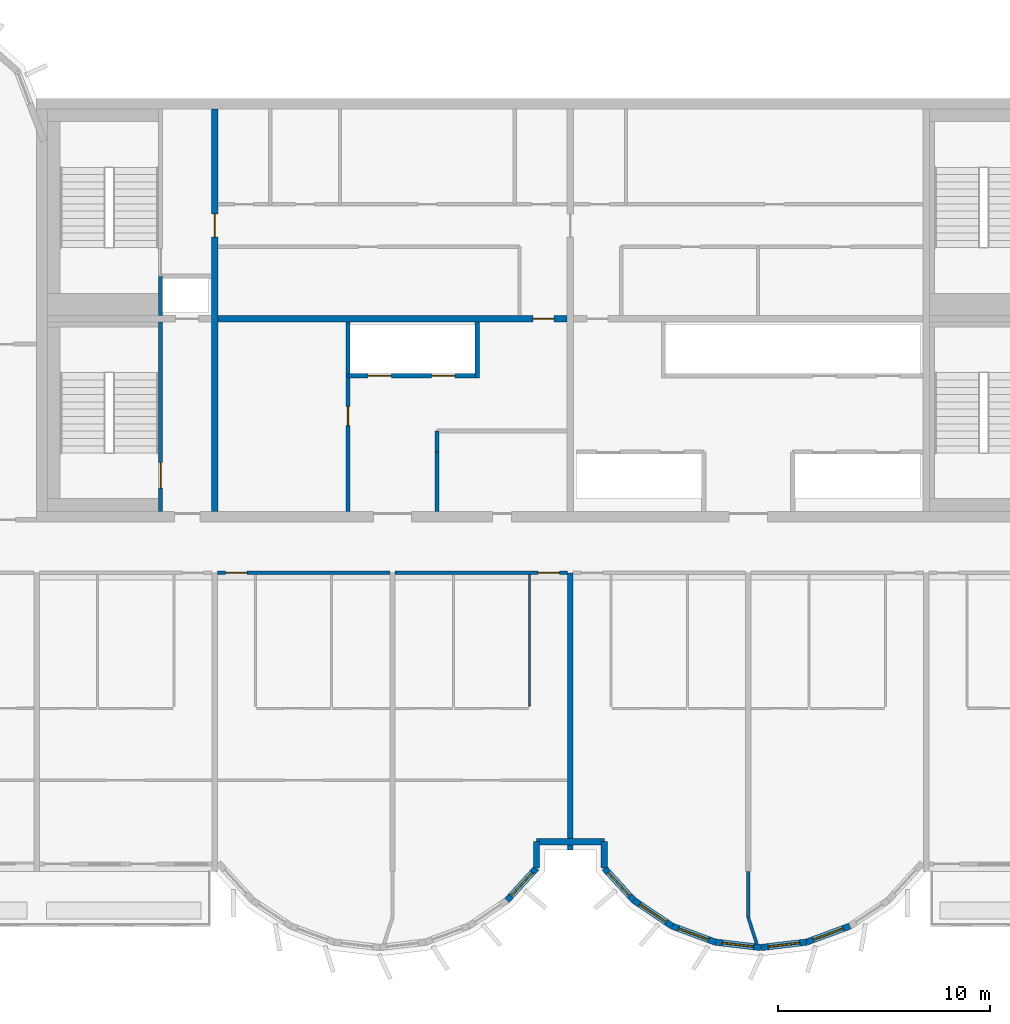
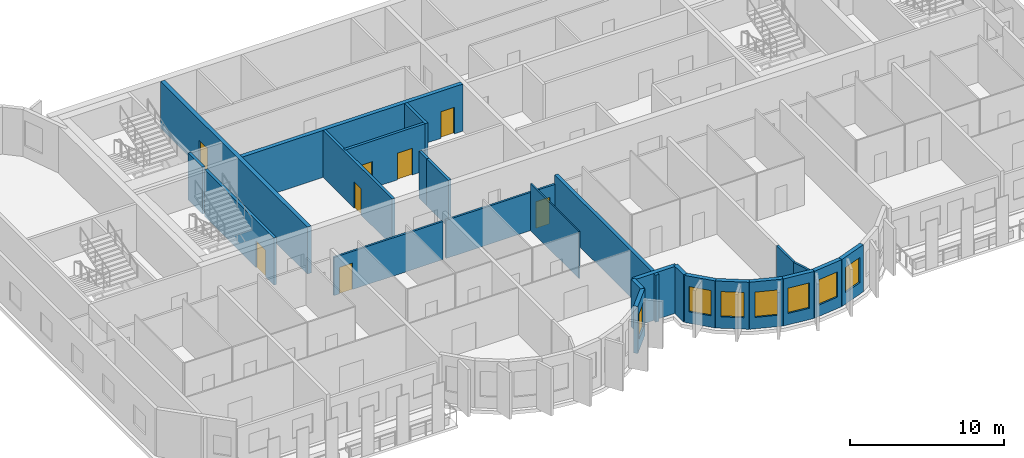
# One storey, part 4 of 12: 25 walls, 8 doors, 7 windows, 15 openings.
"""IFC4 building model written with IfcOpenShell, lengths in metres."""

from ifc_helpers import new_model, si_unit, direction, frame, frame_2d, origin, place, context, subcontext, project, spatial, rectangle, extrude, source, transform, mapped, material, layer, layer_set, type_object, element, fill, save


model = new_model("IFC4")

# Units and contexts
model_context = context("Model", 3, precision=1e-05, world=origin(), true_north=direction((0.0, 1.0)))
body_context = subcontext(model_context, "Body", "Model", "MODEL_VIEW")
ifc_project = project(units=[si_unit("LENGTHUNIT", "METRE"), si_unit("AREAUNIT", "SQUARE_METRE"), si_unit("VOLUMEUNIT", "CUBIC_METRE"), si_unit("PLANEANGLEUNIT", "RADIAN"), si_unit("MASSUNIT", "GRAM", prefix="KILO")], contexts=[model_context])

# Site, building, storey
site_placement = place(None, origin())
site = spatial("IfcSite", under=ifc_project, at=site_placement, CompositionType="ELEMENT")
building_placement = place(site_placement, origin())
building = spatial("IfcBuilding", under=site, at=building_placement, Name="Vanashikhar Sky Hotel", CompositionType="ELEMENT")
storey_placement = place(building_placement, frame((0.0, 0.0, 281.699951171875)))
storey = spatial("IfcBuildingStorey", under=building, at=storey_placement, Name="L67", CompositionType="ELEMENT", Elevation=281.699951171875)

# Wall, opening, door
ifc_material_1 = material(Name="Concrete M50", Category="concrete")
ifc_layer_1 = layer(ifc_material_1, 0.300048828125)
ifc_layer_set_1 = layer_set([ifc_layer_1], Name="RC core inner wall 300 Concrete M50")
wall_type_1 = type_object("IfcWallType", Name="RC core inner wall 300 Concrete M50", PredefinedType="SHEAR", material=ifc_layer_set_1)
shared_shape_1 = source(origin(), body_context, "Body", "SweptSolid", [
    extrude(rectangle(XDim=19.0, YDim=0.300048828125, at=frame_2d((9.5, 0.0))), origin(), (0.0, 0.0, 1.0), 3.719970703125),
])
wall_1_placement = place(storey_placement, frame((33.60009765625, 22.5, 0.0), z_axis=(0.0, 0.0, 1.0), x_axis=(0.0, 1.0, 0.0)))
wall_1 = element("IfcWall", 1, at=wall_1_placement, inside=storey, type_object=wall_type_1, Name="KW-L67-KX1", PredefinedType="SHEAR", context=body_context, shape_type="MappedRepresentation", body=[
    mapped(shared_shape_1, transform((0.0, 0.0, 0.0), scale=1.0)),
])
shared_shape_2 = source(origin(), body_context, "Body", "SweptSolid", [
    extrude(rectangle(XDim=1.10009765625, YDim=2.10009765625, at=frame_2d((0.550048828125, 1.050048828125))), frame((0.0, 0.16015625, 0.0), z_axis=(0.0, -1.0, 0.0), x_axis=(1.0, 0.0, 0.0)), (0.0, 0.0, 1.0), 0.320068359375),
])
opening_1_placement = place(wall_1_placement, frame((12.949951171875, 0.0, 0.0)))
opening_1 = element("IfcOpeningElement", 2, at=opening_1_placement, cuts=wall_1, Name="Opening DC-4-C", PredefinedType="OPENING", context=body_context, shape_type="MappedRepresentation", body=[
    mapped(shared_shape_2, transform((0.0, 0.0, 0.0), scale=1.0)),
])
ifc_material_2 = material(Name="Steel", Category="steel")
door_type_1 = type_object("IfcDoorType", Name="Service door 1100 FD60", OperationType="NOTDEFINED", PredefinedType="DOOR", material=ifc_material_2)
shared_shape_3 = source(origin(), body_context, "Body", "SweptSolid", [
    extrude(rectangle(XDim=1.10009765625, YDim=2.10009765625, at=frame_2d((0.550048828125, 1.050048828125))), frame((0.0, 0.02490234375, 0.0), z_axis=(0.0, -1.0, 0.0), x_axis=(1.0, 0.0, 0.0)), (0.0, 0.0, 1.0), 0.050048828125),
])
door_1_placement = place(opening_1_placement, origin())
door_1 = element("IfcDoor", 3, at=door_1_placement, inside=storey, type_object=door_type_1, Name="Service door 1100 FD60", OperationType="SINGLE_SWING_LEFT", OverallHeight=2.10009765625, OverallWidth=1.10009765625, PredefinedType="DOOR", context=body_context, shape_type="MappedRepresentation", body=[
    mapped(shared_shape_3, transform((0.0, 0.0, 0.0), scale=1.0)),
])
fill(opening_1, door_1)

shared_shape_4 = source(origin(), body_context, "Body", "SweptSolid", [
    extrude(rectangle(XDim=16.5, YDim=0.300048828125, at=frame_2d((8.25, 0.0))), origin(), (0.0, 0.0, 1.0), 3.719970703125),
])
wall_2_placement = place(storey_placement, frame((33.75, 31.60009765625, 0.0), z_axis=(0.0, 0.0, 1.0), x_axis=(1.0, 0.0, 0.0)))
wall_2 = element("IfcWall", 4, at=wall_2_placement, inside=storey, type_object=wall_type_1, Name="KW-L67-KY2", PredefinedType="SHEAR", context=body_context, shape_type="MappedRepresentation", body=[
    mapped(shared_shape_4, transform((0.0, 0.0, 0.0), scale=1.0)),
])
shared_shape_5 = source(origin(), body_context, "Body", "SweptSolid", [
    extrude(rectangle(XDim=1.0, YDim=2.10009765625, at=frame_2d((0.5, 1.050048828125))), frame((0.0, 0.16015625, 0.0), z_axis=(0.0, -1.0, 0.0), x_axis=(1.0, 0.0, 0.0)), (0.0, 0.0, 1.0), 0.320068359375),
])
opening_2_placement = place(wall_2_placement, frame((14.875, 0.0, 0.0)))
opening_2 = element("IfcOpeningElement", 5, at=opening_2_placement, cuts=wall_2, Name="Opening DC-4", PredefinedType="OPENING", context=body_context, shape_type="MappedRepresentation", body=[
    mapped(shared_shape_5, transform((0.0, 0.0, 0.0), scale=1.0)),
])
door_type_2 = type_object("IfcDoorType", Name="Service door 1000 FD60", OperationType="NOTDEFINED", PredefinedType="DOOR", material=ifc_material_2)
shared_shape_6 = source(origin(), body_context, "Body", "SweptSolid", [
    extrude(rectangle(XDim=1.0, YDim=2.10009765625, at=frame_2d((0.5, 1.050048828125))), frame((0.0, 0.02490234375, 0.0), z_axis=(0.0, -1.0, 0.0), x_axis=(1.0, 0.0, 0.0)), (0.0, 0.0, 1.0), 0.050048828125),
])
door_2_placement = place(opening_2_placement, origin())
door_2 = element("IfcDoor", 6, at=door_2_placement, inside=storey, type_object=door_type_2, Name="Service door 1000 FD60", OperationType="SINGLE_SWING_LEFT", OverallHeight=2.10009765625, OverallWidth=1.0, PredefinedType="DOOR", context=body_context, shape_type="MappedRepresentation", body=[
    mapped(shared_shape_6, transform((0.0, 0.0, 0.0), scale=1.0)),
])
fill(opening_2, door_2)

# Wall
ifc_layer_2 = layer(ifc_material_1, 0.25)
ifc_layer_set_2 = layer_set([ifc_layer_2], Name="RC shear wall 250 Concrete M50")
wall_type_2 = type_object("IfcWallType", Name="RC shear wall 250 Concrete M50", PredefinedType="SHEAR", material=ifc_layer_set_2)
shared_shape_7 = source(origin(), body_context, "Body", "SweptSolid", [
    extrude(rectangle(XDim=13.10009765625, YDim=0.25, at=frame_2d((6.550048828125, 0.0))), origin(), (0.0, 0.0, 1.0), 3.719970703125),
])
wall_3_placement = place(storey_placement, frame((50.39990234375, 6.5, 0.0), z_axis=(0.0, 0.0, 1.0), x_axis=(0.0, 1.0, 0.0)))
element("IfcWall", 7, at=wall_3_placement, inside=storey, type_object=wall_type_2, Name="CW-L67-XW07-1", PredefinedType="SHEAR", context=body_context, shape_type="MappedRepresentation", body=[
    mapped(shared_shape_7, transform((0.0, 0.0, 0.0), scale=1.0)),
])

# Wall, opening, window
ifc_layer_3 = layer(ifc_material_1, 0.300048828125)
ifc_layer_set_3 = layer_set([ifc_layer_3], Name="Lobe wall 300")
wall_type_3 = type_object("IfcWallType", Name="Lobe wall 300", PredefinedType="SOLIDWALL", material=ifc_layer_set_3)
shared_shape_8 = source(origin(), body_context, "Body", "SweptSolid", [
    extrude(rectangle(XDim=2.17578125, YDim=0.300048828125, at=frame_2d((1.087890625, 0.0))), origin(), (0.0, 0.0, 1.0), 3.719970703125),
])
wall_4_placement = place(storey_placement, frame((53.395751953125, 4.13134765625, 0.0), z_axis=(0.0, 0.0, 1.0), x_axis=(0.829590746428, -0.558371913192, 0.0)))
wall_4 = element("IfcWall", 8, at=wall_4_placement, inside=storey, type_object=wall_type_3, Name="Lobe wall", PredefinedType="SOLIDWALL", context=body_context, shape_type="MappedRepresentation", body=[
    mapped(shared_shape_8, transform((0.0, 0.0, 0.0), scale=1.0)),
])
shared_shape_9 = source(origin(), body_context, "Body", "SweptSolid", [
    extrude(rectangle(XDim=1.5, YDim=2.0, at=frame_2d((0.75, 1.0))), frame((0.0, 0.16015625, 0.0), z_axis=(0.0, -1.0, 0.0), x_axis=(1.0, 0.0, 0.0)), (0.0, 0.0, 1.0), 0.320068359375),
])
opening_3_placement = place(wall_4_placement, frame((0.337890625, 0.0, 0.89990234375)))
opening_3 = element("IfcOpeningElement", 9, at=opening_3_placement, cuts=wall_4, Name="Opening WN-2", PredefinedType="OPENING", context=body_context, shape_type="MappedRepresentation", body=[
    mapped(shared_shape_9, transform((0.0, 0.0, 0.0), scale=1.0)),
])
ifc_material_3 = material(Name="Glass", Category="glass")
window_type = type_object("IfcWindowType", Name="Lobe window 1500 x 2000", PartitioningType="SINGLE_PANEL", PredefinedType="WINDOW", material=ifc_material_3)
shared_shape_10 = source(origin(), body_context, "Body", "SweptSolid", [
    extrude(rectangle(XDim=1.5, YDim=2.0, at=frame_2d((0.75, 1.0))), frame((0.0, 0.030029296875, 0.0), z_axis=(0.0, -1.0, 0.0), x_axis=(1.0, 0.0, 0.0)), (0.0, 0.0, 1.0), 0.06005859375),
])
window_1_placement = place(opening_3_placement, origin())
window_1 = element("IfcWindow", 10, at=window_1_placement, inside=storey, type_object=window_type, Name="Window WN-2", OverallHeight=2.0, OverallWidth=1.5, PartitioningType="SINGLE_PANEL", PredefinedType="WINDOW", context=body_context, shape_type="MappedRepresentation", body=[
    mapped(shared_shape_10, transform((0.0, 0.0, 0.0), scale=1.0)),
])
fill(opening_3, window_1)

wall_5_placement = place(storey_placement, frame((55.20068359375, 2.91650390625, 0.0), z_axis=(0.0, 0.0, 1.0), x_axis=(0.93754555999, -0.347862505801, 0.0)))
wall_5 = element("IfcWall", 11, at=wall_5_placement, inside=storey, type_object=wall_type_3, Name="Lobe wall", PredefinedType="SOLIDWALL", context=body_context, shape_type="MappedRepresentation", body=[
    mapped(shared_shape_8, transform((0.0, 0.0, 0.0), scale=1.0)),
])
opening_4_placement = place(wall_5_placement, frame((0.337890625, 0.0, 0.89990234375)))
opening_4 = element("IfcOpeningElement", 12, at=opening_4_placement, cuts=wall_5, Name="Opening WN-2", PredefinedType="OPENING", context=body_context, shape_type="MappedRepresentation", body=[
    mapped(shared_shape_9, transform((0.0, 0.0, 0.0), scale=1.0)),
])
window_2_placement = place(opening_4_placement, origin())
window_2 = element("IfcWindow", 13, at=window_2_placement, inside=storey, type_object=window_type, Name="Window WN-2", OverallHeight=2.0, OverallWidth=1.5, PartitioningType="SINGLE_PANEL", PredefinedType="WINDOW", context=body_context, shape_type="MappedRepresentation", body=[
    mapped(shared_shape_10, transform((0.0, 0.0, 0.0), scale=1.0)),
])
fill(opening_4, window_2)

shared_shape_11 = source(origin(), body_context, "Body", "SweptSolid", [
    extrude(rectangle(XDim=2.174560546875, YDim=0.300048828125, at=frame_2d((1.08740234375, 0.0))), origin(), (0.0, 0.0, 1.0), 3.719970703125),
])
wall_6_placement = place(storey_placement, frame((57.240478515625, 2.15966796875, 0.0), z_axis=(0.0, 0.0, 1.0), x_axis=(0.993001132889, -0.118104826659, 0.0)))
wall_6 = element("IfcWall", 14, at=wall_6_placement, inside=storey, type_object=wall_type_3, Name="Lobe wall", PredefinedType="SOLIDWALL", context=body_context, shape_type="MappedRepresentation", body=[
    mapped(shared_shape_11, transform((0.0, 0.0, 0.0), scale=1.0)),
])
opening_5_placement = place(wall_6_placement, frame((0.33740234375, 0.0, 0.89990234375)))
opening_5 = element("IfcOpeningElement", 15, at=opening_5_placement, cuts=wall_6, Name="Opening WN-2", PredefinedType="OPENING", context=body_context, shape_type="MappedRepresentation", body=[
    mapped(shared_shape_9, transform((0.0, 0.0, 0.0), scale=1.0)),
])
window_3_placement = place(opening_5_placement, origin())
window_3 = element("IfcWindow", 16, at=window_3_placement, inside=storey, type_object=window_type, Name="Window WN-2", OverallHeight=2.0, OverallWidth=1.5, PartitioningType="SINGLE_PANEL", PredefinedType="WINDOW", context=body_context, shape_type="MappedRepresentation", body=[
    mapped(shared_shape_10, transform((0.0, 0.0, 0.0), scale=1.0)),
])
fill(opening_5, window_3)

shared_shape_12 = source(origin(), body_context, "Body", "SweptSolid", [
    extrude(rectangle(XDim=2.1748046875, YDim=0.300048828125, at=frame_2d((1.08740234375, 0.0))), origin(), (0.0, 0.0, 1.0), 3.719970703125),
])
wall_7_placement = place(storey_placement, frame((59.39990234375, 1.90283203125, 0.0), z_axis=(0.0, 0.0, 1.0), x_axis=(0.993002698611, 0.118091661648, 0.0)))
wall_7 = element("IfcWall", 17, at=wall_7_placement, inside=storey, type_object=wall_type_3, Name="Lobe wall", PredefinedType="SOLIDWALL", context=body_context, shape_type="MappedRepresentation", body=[
    mapped(shared_shape_12, transform((0.0, 0.0, 0.0), scale=1.0)),
])
opening_6_placement = place(wall_7_placement, frame((0.33740234375, 0.0, 0.89990234375)))
opening_6 = element("IfcOpeningElement", 18, at=opening_6_placement, cuts=wall_7, Name="Opening WN-2", PredefinedType="OPENING", context=body_context, shape_type="MappedRepresentation", body=[
    mapped(shared_shape_9, transform((0.0, 0.0, 0.0), scale=1.0)),
])
window_4_placement = place(opening_6_placement, origin())
window_4 = element("IfcWindow", 19, at=window_4_placement, inside=storey, type_object=window_type, Name="Window WN-2", OverallHeight=2.0, OverallWidth=1.5, PartitioningType="SINGLE_PANEL", PredefinedType="WINDOW", context=body_context, shape_type="MappedRepresentation", body=[
    mapped(shared_shape_10, transform((0.0, 0.0, 0.0), scale=1.0)),
])
fill(opening_6, window_4)

shared_shape_13 = source(origin(), body_context, "Body", "SweptSolid", [
    extrude(rectangle(XDim=2.175537109375, YDim=0.300048828125, at=frame_2d((1.087890625, 0.0))), origin(), (0.0, 0.0, 1.0), 3.719970703125),
])
wall_8_placement = place(storey_placement, frame((61.5595703125, 2.15966796875, 0.0), z_axis=(0.0, 0.0, 1.0), x_axis=(0.937531979054, 0.347899106424, 0.0)))
wall_8 = element("IfcWall", 20, at=wall_8_placement, inside=storey, type_object=wall_type_3, Name="Lobe wall", PredefinedType="SOLIDWALL", context=body_context, shape_type="MappedRepresentation", body=[
    mapped(shared_shape_13, transform((0.0, 0.0, 0.0), scale=1.0)),
])
opening_7_placement = place(wall_8_placement, frame((0.337890625, 0.0, 0.89990234375)))
opening_7 = element("IfcOpeningElement", 21, at=opening_7_placement, cuts=wall_8, Name="Opening WN-2", PredefinedType="OPENING", context=body_context, shape_type="MappedRepresentation", body=[
    mapped(shared_shape_9, transform((0.0, 0.0, 0.0), scale=1.0)),
])
window_5_placement = place(opening_7_placement, origin())
window_5 = element("IfcWindow", 22, at=window_5_placement, inside=storey, type_object=window_type, Name="Window WN-2", OverallHeight=2.0, OverallWidth=1.5, PartitioningType="SINGLE_PANEL", PredefinedType="WINDOW", context=body_context, shape_type="MappedRepresentation", body=[
    mapped(shared_shape_10, transform((0.0, 0.0, 0.0), scale=1.0)),
])
fill(opening_7, window_5)

shared_shape_14 = source(origin(), body_context, "Body", "SweptSolid", [
    extrude(rectangle(XDim=2.066650390625, YDim=0.300048828125, at=frame_2d((1.033203125, 0.0))), origin(), (0.0, 0.0, 1.0), 3.719970703125),
])
wall_9_placement = place(storey_placement, frame((47.404296875, 4.13134765625, 0.0), z_axis=(0.0, 0.0, 1.0), x_axis=(0.675355439877, 0.737492393065, 0.0)))
wall_9 = element("IfcWall", 23, at=wall_9_placement, inside=storey, type_object=wall_type_3, Name="Lobe wall", PredefinedType="SOLIDWALL", context=body_context, shape_type="MappedRepresentation", body=[
    mapped(shared_shape_14, transform((0.0, 0.0, 0.0), scale=1.0)),
])
opening_8_placement = place(wall_9_placement, frame((0.283447265625, 0.0, 0.89990234375)))
opening_8 = element("IfcOpeningElement", 24, at=opening_8_placement, cuts=wall_9, Name="Opening WN-2", PredefinedType="OPENING", context=body_context, shape_type="MappedRepresentation", body=[
    mapped(shared_shape_9, transform((0.0, 0.0, 0.0), scale=1.0)),
])
window_6_placement = place(opening_8_placement, origin())
window_6 = element("IfcWindow", 25, at=window_6_placement, inside=storey, type_object=window_type, Name="Window WN-2", OverallHeight=2.0, OverallWidth=1.5, PartitioningType="SINGLE_PANEL", PredefinedType="WINDOW", context=body_context, shape_type="MappedRepresentation", body=[
    mapped(shared_shape_10, transform((0.0, 0.0, 0.0), scale=1.0)),
])
fill(opening_8, window_6)

wall_10_placement = place(storey_placement, frame((52.0, 5.655517578125, 0.0), z_axis=(0.0, 0.0, 1.0), x_axis=(0.675355439877, -0.737492393065, 0.0)))
wall_10 = element("IfcWall", 26, at=wall_10_placement, inside=storey, type_object=wall_type_3, Name="Lobe wall", PredefinedType="SOLIDWALL", context=body_context, shape_type="MappedRepresentation", body=[
    mapped(shared_shape_14, transform((0.0, 0.0, 0.0), scale=1.0)),
])
opening_9_placement = place(wall_10_placement, frame((0.283447265625, 0.0, 0.89990234375)))
opening_9 = element("IfcOpeningElement", 27, at=opening_9_placement, cuts=wall_10, Name="Opening WN-2", PredefinedType="OPENING", context=body_context, shape_type="MappedRepresentation", body=[
    mapped(shared_shape_9, transform((0.0, 0.0, 0.0), scale=1.0)),
])
window_7_placement = place(opening_9_placement, origin())
window_7 = element("IfcWindow", 28, at=window_7_placement, inside=storey, type_object=window_type, Name="Window WN-2", OverallHeight=2.0, OverallWidth=1.5, PartitioningType="SINGLE_PANEL", PredefinedType="WINDOW", context=body_context, shape_type="MappedRepresentation", body=[
    mapped(shared_shape_10, transform((0.0, 0.0, 0.0), scale=1.0)),
])
fill(opening_9, window_7)

# Walls
shared_shape_15 = source(origin(), body_context, "Body", "SweptSolid", [
    extrude(rectangle(XDim=1.244384765625, YDim=0.300048828125, at=frame_2d((0.6220703125, 0.0))), origin(), (0.0, 0.0, 1.0), 3.719970703125),
])
for number, where, z_axis, x_axis, name in (
    (29, (48.800048828125, 5.655517578125, 0.0), (0.0, 0.0, 1.0), (0.0, 1.0, 0.0), "Groove wall"),
    (30, (52.0, 6.89990234375, 0.0), (0.0, 0.0, 1.0), (0.0, -1.0, 0.0), "Groove wall"),
):
    element("IfcWall", number, at=place(storey_placement, frame(where, z_axis=z_axis, x_axis=x_axis)), inside=storey, type_object=wall_type_3, Name=name, PredefinedType="SOLIDWALL", context=body_context, shape_type="MappedRepresentation", body=[
        mapped(shared_shape_15, transform((0.0, 0.0, 0.0), scale=1.0)),
    ])
shared_shape_16 = source(origin(), body_context, "Body", "SweptSolid", [
    extrude(rectangle(XDim=3.199951171875, YDim=0.300048828125, at=frame_2d((1.60009765625, 0.0))), origin(), (0.0, 0.0, 1.0), 3.719970703125),
])
wall_11_placement = place(storey_placement, frame((48.800048828125, 6.89990234375, 0.0), z_axis=(0.0, 0.0, 1.0), x_axis=(1.0, 0.0, 0.0)))
element("IfcWall", 31, at=wall_11_placement, inside=storey, type_object=wall_type_3, Name="Groove wall", PredefinedType="SOLIDWALL", context=body_context, shape_type="MappedRepresentation", body=[
    mapped(shared_shape_16, transform((0.0, 0.0, 0.0), scale=1.0)),
])

# Wall, openings, doors
ifc_material_4 = material(Name="Concrete M40", Category="concrete")
ifc_layer_4 = layer(ifc_material_4, 0.199951171875)
ifc_layer_set_4 = layer_set([ifc_layer_4], Name="Shaft wall 200")
wall_type_4 = type_object("IfcWallType", Name="Shaft wall 200", PredefinedType="SOLIDWALL", material=ifc_layer_set_4)
shared_shape_17 = source(origin(), body_context, "Body", "SweptSolid", [
    extrude(rectangle(XDim=6.0, YDim=0.199951171875, at=frame_2d((3.0, 0.0))), origin(), (0.0, 0.0, 1.0), 3.719970703125),
])
wall_12_placement = place(storey_placement, frame((39.89990234375, 28.89990234375, 0.0), z_axis=(0.0, 0.0, 1.0), x_axis=(1.0, 0.0, 0.0)))
wall_12 = element("IfcWall", 32, at=wall_12_placement, inside=storey, type_object=wall_type_4, Name="Shaft wall 200", PredefinedType="SOLIDWALL", context=body_context, shape_type="MappedRepresentation", body=[
    mapped(shared_shape_17, transform((0.0, 0.0, 0.0), scale=1.0)),
])
shared_shape_18 = source(origin(), body_context, "Body", "SweptSolid", [
    extrude(rectangle(XDim=1.10009765625, YDim=2.10009765625, at=frame_2d((0.550048828125, 1.050048828125))), frame((0.0, 0.10986328125, 0.0), z_axis=(0.0, -1.0, 0.0), x_axis=(1.0, 0.0, 0.0)), (0.0, 0.0, 1.0), 0.219970703125),
])
opening_10_placement = place(wall_12_placement, frame((0.949951171875, 0.0, 0.0)))
opening_10 = element("IfcOpeningElement", 33, at=opening_10_placement, cuts=wall_12, Name="Opening LD", PredefinedType="OPENING", context=body_context, shape_type="MappedRepresentation", body=[
    mapped(shared_shape_18, transform((0.0, 0.0, 0.0), scale=1.0)),
])
opening_11_placement = place(wall_12_placement, frame((3.949951171875, 0.0, 0.0)))
opening_11 = element("IfcOpeningElement", 34, at=opening_11_placement, cuts=wall_12, Name="Opening LD", PredefinedType="OPENING", context=body_context, shape_type="MappedRepresentation", body=[
    mapped(shared_shape_18, transform((0.0, 0.0, 0.0), scale=1.0)),
])
ifc_material_5 = material(Name="Stainless steel", Category="steel")
door_type_3 = type_object("IfcDoorType", Name="Lift landing door 1100", OperationType="NOTDEFINED", PredefinedType="DOOR", material=ifc_material_5)
door_3_placement = place(opening_10_placement, origin())
door_3 = element("IfcDoor", 35, at=door_3_placement, inside=storey, type_object=door_type_3, Name="Lift landing door 1100", OperationType="SLIDING_TO_LEFT", OverallHeight=2.10009765625, OverallWidth=1.10009765625, PredefinedType="DOOR", context=body_context, shape_type="MappedRepresentation", body=[
    mapped(shared_shape_3, transform((0.0, 0.0, 0.0), scale=1.0)),
])
fill(opening_10, door_3)
door_4_placement = place(opening_11_placement, origin())
door_4 = element("IfcDoor", 36, at=door_4_placement, inside=storey, type_object=door_type_3, Name="Lift landing door 1100", OperationType="SLIDING_TO_RIGHT", OverallHeight=2.10009765625, OverallWidth=1.10009765625, PredefinedType="DOOR", context=body_context, shape_type="MappedRepresentation", body=[
    mapped(shared_shape_3, transform((0.0, 0.0, 0.0), scale=1.0)),
])
fill(opening_11, door_4)

# Wall, opening, door
ifc_material_6 = material(Name="Gypsum board partition")
ifc_layer_5 = layer(ifc_material_6, 0.14990234375)
ifc_layer_set_5 = layer_set([ifc_layer_5], Name="Service partition 150")
wall_type_5 = type_object("IfcWallType", Name="Service partition 150", PredefinedType="PARTITIONING", material=ifc_layer_set_5)
shared_shape_19 = source(origin(), body_context, "Body", "SweptSolid", [
    extrude(rectangle(XDim=8.949951171875, YDim=0.199951171875, at=frame_2d((4.47509765625, 0.0))), origin(), (0.0, 0.0, 1.0), 3.719970703125),
])
wall_13_placement = place(storey_placement, frame((39.89990234375, 22.5, 0.0), z_axis=(0.0, 0.0, 1.0), x_axis=(0.0, 1.0, 0.0)))
wall_13 = element("IfcWall", 37, at=wall_13_placement, inside=storey, type_object=wall_type_5, Name="Service partition 150", PredefinedType="PARTITIONING", context=body_context, shape_type="MappedRepresentation", body=[
    mapped(shared_shape_19, transform((0.0, 0.0, 0.0), scale=1.0)),
])
shared_shape_20 = source(origin(), body_context, "Body", "SweptSolid", [
    extrude(rectangle(XDim=0.89990234375, YDim=2.10009765625, at=frame_2d((0.449951171875, 1.050048828125))), frame((0.0, 0.10986328125, 0.0), z_axis=(0.0, -1.0, 0.0), x_axis=(1.0, 0.0, 0.0)), (0.0, 0.0, 1.0), 0.219970703125),
])
opening_12_placement = place(wall_13_placement, frame((4.050048828125, 0.0, 0.0)))
opening_12 = element("IfcOpeningElement", 38, at=opening_12_placement, cuts=wall_13, Name="Opening DC-4-A", PredefinedType="OPENING", context=body_context, shape_type="MappedRepresentation", body=[
    mapped(shared_shape_20, transform((0.0, 0.0, 0.0), scale=1.0)),
])
door_type_4 = type_object("IfcDoorType", Name="Service door 900 FD60", OperationType="NOTDEFINED", PredefinedType="DOOR", material=ifc_material_2)
shared_shape_21 = source(origin(), body_context, "Body", "SweptSolid", [
    extrude(rectangle(XDim=0.89990234375, YDim=2.10009765625, at=frame_2d((0.449951171875, 1.050048828125))), frame((0.0, 0.02490234375, 0.0), z_axis=(0.0, -1.0, 0.0), x_axis=(1.0, 0.0, 0.0)), (0.0, 0.0, 1.0), 0.050048828125),
])
door_5_placement = place(opening_12_placement, origin())
door_5 = element("IfcDoor", 39, at=door_5_placement, inside=storey, type_object=door_type_4, Name="Service door 900 FD60", OperationType="SINGLE_SWING_RIGHT", OverallHeight=2.10009765625, OverallWidth=0.89990234375, PredefinedType="DOOR", context=body_context, shape_type="MappedRepresentation", body=[
    mapped(shared_shape_21, transform((0.0, 0.0, 0.0), scale=1.0)),
])
fill(opening_12, door_5)

# Walls
shared_shape_22 = source(origin(), body_context, "Body", "SweptSolid", [
    extrude(rectangle(XDim=2.800048828125, YDim=0.199951171875, at=frame_2d((1.39990234375, 0.0))), origin(), (0.0, 0.0, 1.0), 3.719970703125),
])
wall_14_placement = place(storey_placement, frame((44.10009765625, 22.5, 0.0), z_axis=(0.0, 0.0, 1.0), x_axis=(0.0, 1.0, 0.0)))
element("IfcWall", 40, at=wall_14_placement, inside=storey, type_object=wall_type_5, Name="Service partition 150", PredefinedType="PARTITIONING", context=body_context, shape_type="MappedRepresentation", body=[
    mapped(shared_shape_22, transform((0.0, 0.0, 0.0), scale=1.0)),
])
shared_shape_23 = source(origin(), body_context, "Body", "SweptSolid", [
    extrude(rectangle(XDim=2.64990234375, YDim=0.199951171875, at=frame_2d((1.324951171875, 0.0))), origin(), (0.0, 0.0, 1.0), 3.719970703125),
])
wall_15_placement = place(storey_placement, frame((46.0, 28.800048828125, 0.0), z_axis=(0.0, 0.0, 1.0), x_axis=(0.0, 1.0, 0.0)))
element("IfcWall", 41, at=wall_15_placement, inside=storey, type_object=wall_type_4, Name="Shaft wall 200", PredefinedType="SOLIDWALL", context=body_context, shape_type="MappedRepresentation", body=[
    mapped(shared_shape_23, transform((0.0, 0.0, 0.0), scale=1.0)),
])
shared_shape_24 = source(origin(), body_context, "Body", "SweptSolid", [
    extrude(rectangle(XDim=1.0, YDim=0.199951171875, at=frame_2d((0.5, 0.0))), origin(), (0.0, 0.0, 1.0), 3.719970703125),
])
wall_16_placement = place(storey_placement, frame((44.10009765625, 25.300048828125, 0.0), z_axis=(0.0, 0.0, 1.0), x_axis=(0.0, 1.0, 0.0)))
element("IfcWall", 42, at=wall_16_placement, inside=storey, type_object=wall_type_5, Name="Service partition 150", PredefinedType="PARTITIONING", context=body_context, shape_type="MappedRepresentation", body=[
    mapped(shared_shape_24, transform((0.0, 0.0, 0.0), scale=1.0)),
])

# Wall, opening, door
ifc_layer_6 = layer(ifc_material_1, 0.199951171875)
ifc_layer_set_6 = layer_set([ifc_layer_6], Name="Stair wall 200")
wall_type_6 = type_object("IfcWallType", Name="Stair wall 200", PredefinedType="SOLIDWALL", material=ifc_layer_set_6)
shared_shape_25 = source(origin(), body_context, "Body", "SweptSolid", [
    extrude(rectangle(XDim=8.949951171875, YDim=0.199951171875, at=frame_2d((4.47509765625, 0.0))), origin(), (0.0, 0.0, 1.0), 3.719970703125),
])
wall_17_placement = place(storey_placement, frame((31.050048828125, 22.5, 0.0), z_axis=(0.0, 0.0, 1.0), x_axis=(0.0, 1.0, 0.0)))
wall_17 = element("IfcWall", 43, at=wall_17_placement, inside=storey, type_object=wall_type_6, Name="Stair wall 200", PredefinedType="SOLIDWALL", context=body_context, shape_type="MappedRepresentation", body=[
    mapped(shared_shape_25, transform((0.0, 0.0, 0.0), scale=1.0)),
])
shared_shape_26 = source(origin(), body_context, "Body", "SweptSolid", [
    extrude(rectangle(XDim=1.199951171875, YDim=2.10009765625, at=frame_2d((0.60009765625, 1.050048828125))), frame((0.0, 0.10986328125, 0.0), z_axis=(0.0, -1.0, 0.0), x_axis=(1.0, 0.0, 0.0)), (0.0, 0.0, 1.0), 0.219970703125),
])
opening_13_placement = place(wall_17_placement, frame((1.10009765625, 0.0, 0.0)))
opening_13 = element("IfcOpeningElement", 44, at=opening_13_placement, cuts=wall_17, Name="Opening DC-1", PredefinedType="OPENING", context=body_context, shape_type="MappedRepresentation", body=[
    mapped(shared_shape_26, transform((0.0, 0.0, 0.0), scale=1.0)),
])
door_type_5 = type_object("IfcDoorType", Name="Stair door 1200 FD120", OperationType="NOTDEFINED", PredefinedType="DOOR", material=ifc_material_2)
shared_shape_27 = source(origin(), body_context, "Body", "SweptSolid", [
    extrude(rectangle(XDim=1.199951171875, YDim=2.10009765625, at=frame_2d((0.60009765625, 1.050048828125))), frame((0.0, 0.02490234375, 0.0), z_axis=(0.0, -1.0, 0.0), x_axis=(1.0, 0.0, 0.0)), (0.0, 0.0, 1.0), 0.050048828125),
])
door_6_placement = place(opening_13_placement, origin())
door_6 = element("IfcDoor", 45, at=door_6_placement, inside=storey, type_object=door_type_5, Name="Stair door 1200 FD120", OperationType="SINGLE_SWING_RIGHT", OverallHeight=2.10009765625, OverallWidth=1.199951171875, PredefinedType="DOOR", context=body_context, shape_type="MappedRepresentation", body=[
    mapped(shared_shape_27, transform((0.0, 0.0, 0.0), scale=1.0)),
])
fill(opening_13, door_6)

# Walls
shared_shape_28 = source(origin(), body_context, "Body", "SweptSolid", [
    extrude(rectangle(XDim=1.85009765625, YDim=0.199951171875, at=frame_2d((0.925048828125, 0.0))), origin(), (0.0, 0.0, 1.0), 3.719970703125),
])
wall_18_placement = place(storey_placement, frame((31.050048828125, 31.75, 0.0), z_axis=(0.0, 0.0, 1.0), x_axis=(0.0, 1.0, 0.0)))
element("IfcWall", 46, at=wall_18_placement, inside=storey, type_object=wall_type_4, Name="Shaft wall 200", PredefinedType="SOLIDWALL", context=body_context, shape_type="MappedRepresentation", body=[
    mapped(shared_shape_28, transform((0.0, 0.0, 0.0), scale=1.0)),
])
ifc_material_7 = material(Name="Gypsum plasterboard partition")
ifc_layer_7 = layer(ifc_material_7, 0.10009765625)
ifc_layer_set_7 = layer_set([ifc_layer_7], Name="Wet room partition 100")
wall_type_7 = type_object("IfcWallType", Name="Wet room partition 100", PredefinedType="PARTITIONING", material=ifc_layer_set_7)
shared_shape_29 = source(origin(), body_context, "Body", "SweptSolid", [
    extrude(rectangle(XDim=6.25, YDim=0.10009765625, at=frame_2d((3.125, 0.0))), origin(), (0.0, 0.0, 1.0), 3.719970703125),
])
wall_19_placement = place(storey_placement, frame((48.47509765625, 13.27490234375, 0.0), z_axis=(0.0, 0.0, 1.0), x_axis=(0.0, 1.0, 0.0)))
element("IfcWall", 47, at=wall_19_placement, inside=storey, type_object=wall_type_7, Name="W-L67-PW019", PredefinedType="PARTITIONING", context=body_context, shape_type="MappedRepresentation", body=[
    mapped(shared_shape_29, transform((0.0, 0.0, 0.0), scale=1.0)),
])

# Wall, opening, door
ifc_layer_8 = layer(ifc_material_7, 0.14990234375)
ifc_layer_set_8 = layer_set([ifc_layer_8], Name="Corridor and demising partition 150")
wall_type_8 = type_object("IfcWallType", Name="Corridor and demising partition 150", PredefinedType="PARTITIONING", material=ifc_layer_set_8)
shared_shape_30 = source(origin(), body_context, "Body", "SweptSolid", [
    extrude(rectangle(XDim=8.14990234375, YDim=0.14990234375, at=frame_2d((4.074951171875, 0.0))), origin(), (0.0, 0.0, 1.0), 3.02001953125),
])
wall_20_placement = place(storey_placement, frame((33.72509765625, 19.60009765625, 0.0), z_axis=(0.0, 0.0, 1.0), x_axis=(1.0, 0.0, 0.0)))
wall_20 = element("IfcWall", 48, at=wall_20_placement, inside=storey, type_object=wall_type_8, Name="W-L67-PW018", PredefinedType="PARTITIONING", context=body_context, shape_type="MappedRepresentation", body=[
    mapped(shared_shape_30, transform((0.0, 0.0, 0.0), scale=1.0)),
])
shared_shape_31 = source(origin(), body_context, "Body", "SweptSolid", [
    extrude(rectangle(XDim=1.0, YDim=2.10009765625, at=frame_2d((0.5, 1.050048828125))), frame((0.0, 0.0849609375, 0.0), z_axis=(0.0, -1.0, 0.0), x_axis=(1.0, 0.0, 0.0)), (0.0, 0.0, 1.0), 0.169921875),
])
opening_14_placement = place(wall_20_placement, frame((0.39990234375, 0.0, 0.0)))
opening_14 = element("IfcOpeningElement", 49, at=opening_14_placement, cuts=wall_20, Name="Opening D-01", PredefinedType="OPENING", context=body_context, shape_type="MappedRepresentation", body=[
    mapped(shared_shape_31, transform((0.0, 0.0, 0.0), scale=1.0)),
])
ifc_material_8 = material(Name="Timber fire door", Category="wood")
door_type_6 = type_object("IfcDoorType", Name="Guest entry door 1000 FD30S", OperationType="NOTDEFINED", PredefinedType="DOOR", material=ifc_material_8)
door_7_placement = place(opening_14_placement, origin())
door_7 = element("IfcDoor", 50, at=door_7_placement, inside=storey, type_object=door_type_6, Name="D-L67-012", OperationType="SINGLE_SWING_LEFT", OverallHeight=2.10009765625, OverallWidth=1.0, PredefinedType="DOOR", context=body_context, shape_type="MappedRepresentation", body=[
    mapped(shared_shape_6, transform((0.0, 0.0, 0.0), scale=1.0)),
])
fill(opening_14, door_7)

wall_21_placement = place(storey_placement, frame((42.125, 19.60009765625, 0.0), z_axis=(0.0, 0.0, 1.0), x_axis=(1.0, 0.0, 0.0)))
wall_21 = element("IfcWall", 51, at=wall_21_placement, inside=storey, type_object=wall_type_8, Name="W-L67-PW024", PredefinedType="PARTITIONING", context=body_context, shape_type="MappedRepresentation", body=[
    mapped(shared_shape_30, transform((0.0, 0.0, 0.0), scale=1.0)),
])
opening_15_placement = place(wall_21_placement, frame((6.75, 0.0, 0.0)))
opening_15 = element("IfcOpeningElement", 52, at=opening_15_placement, cuts=wall_21, Name="Opening D-01", PredefinedType="OPENING", context=body_context, shape_type="MappedRepresentation", body=[
    mapped(shared_shape_31, transform((0.0, 0.0, 0.0), scale=1.0)),
])
door_8_placement = place(opening_15_placement, origin())
door_8 = element("IfcDoor", 53, at=door_8_placement, inside=storey, type_object=door_type_6, Name="D-L67-016", OperationType="SINGLE_SWING_RIGHT", OverallHeight=2.10009765625, OverallWidth=1.0, PredefinedType="DOOR", context=body_context, shape_type="MappedRepresentation", body=[
    mapped(shared_shape_6, transform((0.0, 0.0, 0.0), scale=1.0)),
])
fill(opening_15, door_8)

# Walls
shared_shape_32 = source(origin(), body_context, "Body", "SweptSolid", [
    extrude(rectangle(XDim=2.177978515625, YDim=0.14990234375, at=frame_2d((1.0888671875, 0.0))), origin(), (0.0, 0.0, 1.0), 3.719970703125),
])
wall_22_placement = place(storey_placement, frame((58.800048828125, 3.322021484375, 0.0), z_axis=(0.0, 0.0, 1.0), x_axis=(0.0, 1.0, 0.0)))
element("IfcWall", 54, at=wall_22_placement, inside=storey, type_object=wall_type_8, Name="W-L67-PW047", PredefinedType="PARTITIONING", context=body_context, shape_type="MappedRepresentation", body=[
    mapped(shared_shape_32, transform((0.0, 0.0, 0.0), scale=1.0)),
])
shared_shape_33 = source(origin(), body_context, "Body", "SweptSolid", [
    extrude(rectangle(XDim=1.308349609375, YDim=0.14990234375, at=frame_2d((0.654296875, 0.0))), origin(), (0.0, 0.0, 1.0), 3.719970703125),
])
wall_23_placement = place(storey_placement, frame((59.201904296875, 2.076904296875, 0.0), z_axis=(0.0, 0.0, 1.0), x_axis=(-0.307144529633, 0.951662880392, 0.0)))
element("IfcWall", 55, at=wall_23_placement, inside=storey, type_object=wall_type_8, Name="W-L67-PW047B0", PredefinedType="PARTITIONING", context=body_context, shape_type="MappedRepresentation", body=[
    mapped(shared_shape_33, transform((0.0, 0.0, 0.0), scale=1.0)),
])

save(model, "model.ifc")
